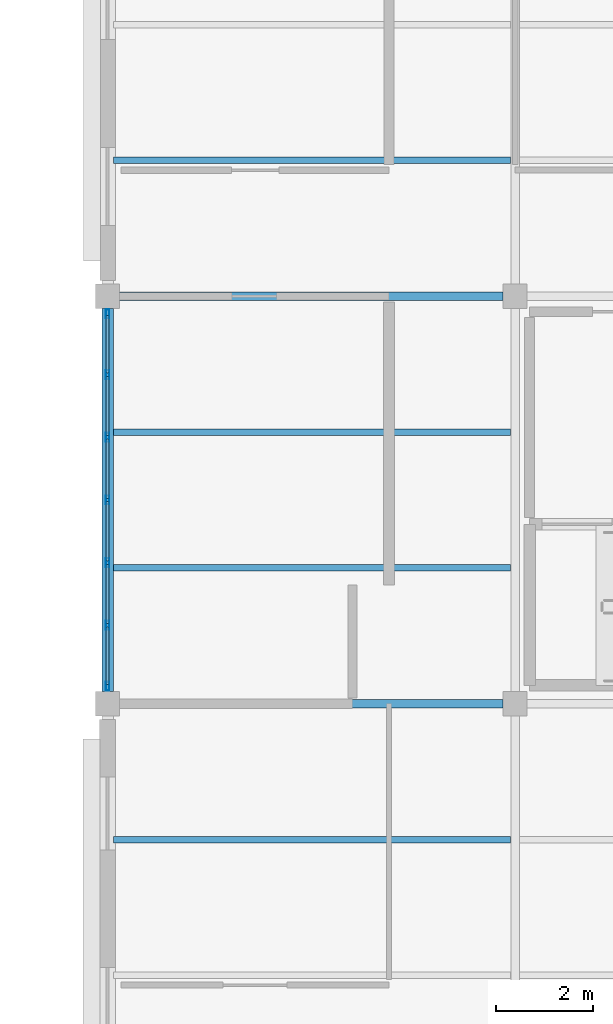
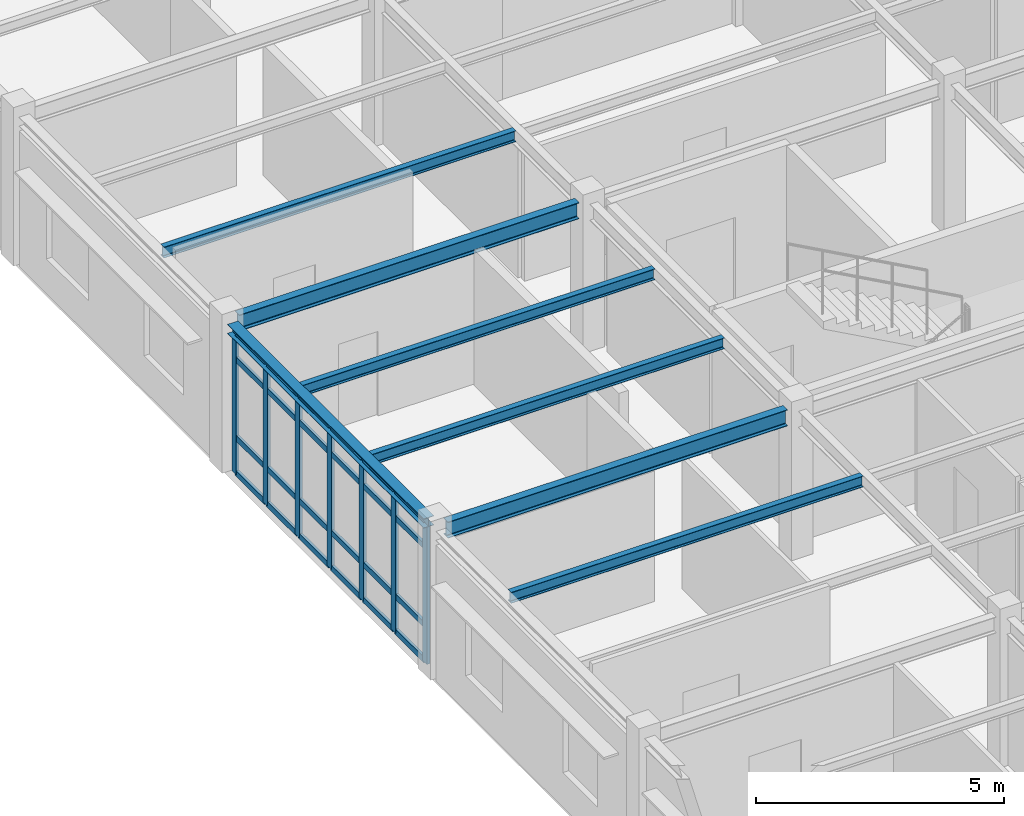
# One storey, part 14 of 53: 31 members, 7 beams, 1 element without a shape of its own.
"""IFC4 building model written with IfcOpenShell, lengths in metres."""

from ifc_helpers import new_model, si_unit, direction, frame, origin, origin_2d, place, context, subcontext, project, spatial, hollow_rectangle, i_section, extrude, material, layer, layer_set, material_profile, profile_set, type_object, element, aggregate, save


model = new_model("IFC4")

# Units and contexts
model_context = context("Model", 3, precision=1e-05, world=origin(), true_north=direction((0.0, 1.0)))
body_context = subcontext(model_context, "Body", "Model", "MODEL_VIEW")
ifc_project = project(units=[si_unit("LENGTHUNIT", "METRE"), si_unit("AREAUNIT", "SQUARE_METRE"), si_unit("VOLUMEUNIT", "CUBIC_METRE"), si_unit("PLANEANGLEUNIT", "RADIAN"), si_unit("MASSUNIT", "GRAM", prefix="KILO")], contexts=[model_context])

# Site, building, storey
site_placement = place(None, origin())
site = spatial("IfcSite", under=ifc_project, at=site_placement, CompositionType="ELEMENT")
building_placement = place(site_placement, origin())
building = spatial("IfcBuilding", under=site, at=building_placement, Name="Bramfleet General Hospital", CompositionType="ELEMENT")
storey_placement = place(building_placement, frame((0.0, 0.0, 26.39990234375)))
storey = spatial("IfcBuildingStorey", under=building, at=storey_placement, Name="L06", CompositionType="ELEMENT", Elevation=26.39990234375)

# Beams
ifc_material_1 = material(Name="Steel S355", Category="steel")
ifc_material_profile_1 = material_profile(ifc_material_1, i_section(OverallWidth=0.239990234375, OverallDepth=0.22998046875, WebThickness=0.007568359375, FlangeThickness=0.011962890625, FilletRadius=0.02099609375, at=origin_2d()), Name="HEA 240")
ifc_profile_set_1 = profile_set([ifc_material_profile_1], Name="Steel S355")
beam_type_1 = type_object("IfcBeamType", Name="BM-HEA240", PredefinedType="SPANDREL", material=ifc_profile_set_1)
beam_placement = place(storey_placement, frame((92.39990234375, 67.449951171875, 3.505126953125), z_axis=(0.0, 1.0, 0.0), x_axis=(-1.0, 0.0, 0.0)))
element("IfcBeam", 1, at=beam_placement, inside=storey, type_object=beam_type_1, Name="L06 Grid Beam Y 11-08", PredefinedType="SPANDREL", context=body_context, shape_type="SweptSolid", body=[
    extrude(i_section(OverallWidth=0.239990234375, OverallDepth=0.22998046875, WebThickness=0.007568359375, FlangeThickness=0.011962890625, FilletRadius=0.02099609375, at=origin_2d()), origin(), (0.0, 0.0, 1.0), 7.900146484375),
])
ifc_material_profile_2 = material_profile(ifc_material_1, i_section(OverallWidth=0.135009765625, OverallDepth=0.27001953125, WebThickness=0.006591796875, FlangeThickness=0.01025390625, FilletRadius=0.014892578125, at=origin_2d()), Name="IPE 270")
ifc_profile_set_2 = profile_set([ifc_material_profile_2], Name="Steel S355")
beam_type_2 = type_object("IfcBeamType", Name="BM-IPE270", PredefinedType="JOIST", material=ifc_profile_set_2)
for number, where, z_axis, x_axis, name in (
    (2, (92.52001953125, 64.39990234375, 3.485107421875), (1.0, 0.0, 0.0), (0.0, 1.0, 0.0), "L06 Secondary Joist 11-07-2"),
    (3, (92.52001953125, 70.0, 3.485107421875), (1.0, 0.0, 0.0), (0.0, 1.0, 0.0), "L06 Secondary Joist 11-08-1"),
    (4, (92.52001953125, 72.800048828125, 3.485107421875), (1.0, 0.0, 0.0), (0.0, 1.0, 0.0), "L06 Secondary Joist 11-08-2"),
    (5, (92.52001953125, 78.39990234375, 3.485107421875), (1.0, 0.0, 0.0), (0.0, 1.0, 0.0), "L06 Secondary Joist 11-09-1"),
):
    element("IfcBeam", number, at=place(storey_placement, frame(where, z_axis=z_axis, x_axis=x_axis)), inside=storey, type_object=beam_type_2, Name=name, PredefinedType="JOIST", context=body_context, shape_type="SweptSolid", body=[
        extrude(i_section(OverallWidth=0.135009765625, OverallDepth=0.27001953125, WebThickness=0.006591796875, FlangeThickness=0.01025390625, FilletRadius=0.014892578125, at=origin_2d()), origin(), (0.0, 0.0, 1.0), 8.18994140625),
    ])
ifc_material_profile_3 = material_profile(ifc_material_1, i_section(OverallWidth=0.179931640625, OverallDepth=0.39990234375, WebThickness=0.008544921875, FlangeThickness=0.013427734375, FilletRadius=0.02099609375, at=origin_2d()), Name="IPE 400")
ifc_profile_set_3 = profile_set([ifc_material_profile_3], Name="Steel S355")
beam_type_3 = type_object("IfcBeamType", Name="BM-IPE400", PredefinedType="BEAM", material=ifc_profile_set_3)
for number, where, z_axis, x_axis, name in (
    (6, (92.64990234375, 67.199951171875, 3.420166015625), (1.0, 0.0, 0.0), (0.0, 1.0, 0.0), "L06 Grid Beam X 11-08"),
    (7, (92.64990234375, 75.60009765625, 3.420166015625), (1.0, 0.0, 0.0), (0.0, 1.0, 0.0), "L06 Grid Beam X 11-09"),
):
    element("IfcBeam", number, at=place(storey_placement, frame(where, z_axis=z_axis, x_axis=x_axis)), inside=storey, type_object=beam_type_3, Name=name, PredefinedType="BEAM", context=body_context, shape_type="SweptSolid", body=[
        extrude(i_section(OverallWidth=0.179931640625, OverallDepth=0.39990234375, WebThickness=0.008544921875, FlangeThickness=0.013427734375, FilletRadius=0.02099609375, at=origin_2d()), origin(), (0.0, 0.0, 1.0), 7.900146484375),
    ])

# Curtain wall, members
ifc_material_2 = material(Name="Anodised aluminium and low-E triple glazing", Category="aluminium")
ifc_layer = layer(ifc_material_2, 0.179931640625, Name="CWT-CW-14")
ifc_layer_set = layer_set([ifc_layer], Name="Anodised aluminium and low-E triple glazing")
curtain_wall_type = type_object("IfcCurtainWallType", Name="CWT-CW-14", PredefinedType="USERDEFINED", material=ifc_layer_set)
curtain_wall_placement = place(storey_placement, origin())
curtain_wall = element("IfcCurtainWall", 8, at=curtain_wall_placement, inside=storey, type_object=curtain_wall_type, Name="L06 Curtain Wall 212", ObjectType="Stick curtain wall", PredefinedType="USERDEFINED")
ifc_material_3 = material(Name="Anodised aluminium EN AW-6060", Category="aluminium")
ifc_material_profile_4 = material_profile(ifc_material_3, hollow_rectangle(XDim=0.070068359375, YDim=0.179931640625, WallThickness=0.00390625, at=origin_2d()), Name="ALU 180x70x4.0")
ifc_profile_set_4 = profile_set([ifc_material_profile_4], Name="Anodised aluminium EN AW-6060")
member_type_1 = type_object("IfcMemberType", Name="CWM-ALU180", PredefinedType="MULLION", material=ifc_profile_set_4)
member_1_placement = place(storey_placement, frame((92.39990234375, 67.56005859375, 0.0), z_axis=(0.0, 0.0, 1.0), x_axis=(-1.0, 0.0, 0.0)))
member_1 = element("IfcMember", 9, at=member_1_placement, type_object=member_type_1, Name="CW-14 mullion 1", PredefinedType="MULLION", context=body_context, shape_type="SweptSolid", body=[
    extrude(hollow_rectangle(XDim=0.070068359375, YDim=0.179931640625, WallThickness=0.00390625, at=origin_2d()), origin(), (0.0, 0.0, 1.0), 3.380126953125),
])
member_2_placement = place(storey_placement, frame((92.39990234375, 68.816650390625, 0.0), z_axis=(0.0, 0.0, 1.0), x_axis=(-1.0, 0.0, 0.0)))
member_2 = element("IfcMember", 10, at=member_2_placement, type_object=member_type_1, Name="CW-14 mullion 2", PredefinedType="MULLION", context=body_context, shape_type="SweptSolid", body=[
    extrude(hollow_rectangle(XDim=0.070068359375, YDim=0.179931640625, WallThickness=0.00390625, at=origin_2d()), origin(), (0.0, 0.0, 1.0), 3.380126953125),
])
member_3_placement = place(storey_placement, frame((92.39990234375, 70.1083984375, 0.0), z_axis=(0.0, 0.0, 1.0), x_axis=(-1.0, 0.0, 0.0)))
member_3 = element("IfcMember", 11, at=member_3_placement, type_object=member_type_1, Name="CW-14 mullion 3", PredefinedType="MULLION", context=body_context, shape_type="SweptSolid", body=[
    extrude(hollow_rectangle(XDim=0.070068359375, YDim=0.179931640625, WallThickness=0.00390625, at=origin_2d()), origin(), (0.0, 0.0, 1.0), 3.380126953125),
])
member_4_placement = place(storey_placement, frame((92.39990234375, 71.39990234375, 0.0), z_axis=(0.0, 0.0, 1.0), x_axis=(-1.0, 0.0, 0.0)))
member_4 = element("IfcMember", 12, at=member_4_placement, type_object=member_type_1, Name="CW-14 mullion 4", PredefinedType="MULLION", context=body_context, shape_type="SweptSolid", body=[
    extrude(hollow_rectangle(XDim=0.070068359375, YDim=0.179931640625, WallThickness=0.00390625, at=origin_2d()), origin(), (0.0, 0.0, 1.0), 3.380126953125),
])
member_5_placement = place(storey_placement, frame((92.39990234375, 72.691650390625, 0.0), z_axis=(0.0, 0.0, 1.0), x_axis=(-1.0, 0.0, 0.0)))
member_5 = element("IfcMember", 13, at=member_5_placement, type_object=member_type_1, Name="CW-14 mullion 5", PredefinedType="MULLION", context=body_context, shape_type="SweptSolid", body=[
    extrude(hollow_rectangle(XDim=0.070068359375, YDim=0.179931640625, WallThickness=0.00390625, at=origin_2d()), origin(), (0.0, 0.0, 1.0), 3.380126953125),
])
member_6_placement = place(storey_placement, frame((92.39990234375, 73.9833984375, 0.0), z_axis=(0.0, 0.0, 1.0), x_axis=(-1.0, 0.0, 0.0)))
member_6 = element("IfcMember", 14, at=member_6_placement, type_object=member_type_1, Name="CW-14 mullion 6", PredefinedType="MULLION", context=body_context, shape_type="SweptSolid", body=[
    extrude(hollow_rectangle(XDim=0.070068359375, YDim=0.179931640625, WallThickness=0.00390625, at=origin_2d()), origin(), (0.0, 0.0, 1.0), 3.380126953125),
])
member_7_placement = place(storey_placement, frame((92.39990234375, 75.239990234375, 0.0), z_axis=(0.0, 0.0, 1.0), x_axis=(-1.0, 0.0, 0.0)))
member_7 = element("IfcMember", 15, at=member_7_placement, type_object=member_type_1, Name="CW-14 mullion 7", PredefinedType="MULLION", context=body_context, shape_type="SweptSolid", body=[
    extrude(hollow_rectangle(XDim=0.070068359375, YDim=0.179931640625, WallThickness=0.00390625, at=origin_2d()), origin(), (0.0, 0.0, 1.0), 3.380126953125),
])
ifc_material_profile_5 = material_profile(ifc_material_3, hollow_rectangle(XDim=0.06494140625, YDim=0.139892578125, WallThickness=0.00390625, at=origin_2d()), Name="ALU 140x65x4.0")
ifc_profile_set_5 = profile_set([ifc_material_profile_5], Name="Anodised aluminium EN AW-6060")
member_type_2 = type_object("IfcMemberType", Name="CWT-ALU140", PredefinedType="USERDEFINED", material=ifc_profile_set_5)
member_8_placement = place(storey_placement, frame((92.39990234375, 67.594970703125, 0.03271484375), z_axis=(0.0, 1.0, 0.0), x_axis=(-1.0, 0.0, 0.0)))
member_8 = element("IfcMember", 16, at=member_8_placement, type_object=member_type_2, Name="CW-14 transom 1.1", ObjectType="TRANSOM", PredefinedType="USERDEFINED", context=body_context, shape_type="SweptSolid", body=[
    extrude(hollow_rectangle(XDim=0.06494140625, YDim=0.139892578125, WallThickness=0.00390625, at=origin_2d()), origin(), (0.0, 0.0, 1.0), 1.186767578125),
])
member_9_placement = place(storey_placement, frame((92.39990234375, 67.594970703125, 0.900146484375), z_axis=(0.0, 1.0, 0.0), x_axis=(-1.0, 0.0, 0.0)))
member_9 = element("IfcMember", 17, at=member_9_placement, type_object=member_type_2, Name="CW-14 transom 1.2", ObjectType="TRANSOM", PredefinedType="USERDEFINED", context=body_context, shape_type="SweptSolid", body=[
    extrude(hollow_rectangle(XDim=0.06494140625, YDim=0.139892578125, WallThickness=0.00390625, at=origin_2d()), origin(), (0.0, 0.0, 1.0), 1.186767578125),
])
member_10_placement = place(storey_placement, frame((92.39990234375, 67.594970703125, 2.830078125), z_axis=(0.0, 1.0, 0.0), x_axis=(-1.0, 0.0, 0.0)))
member_10 = element("IfcMember", 18, at=member_10_placement, type_object=member_type_2, Name="CW-14 transom 1.3", ObjectType="TRANSOM", PredefinedType="USERDEFINED", context=body_context, shape_type="SweptSolid", body=[
    extrude(hollow_rectangle(XDim=0.06494140625, YDim=0.139892578125, WallThickness=0.00390625, at=origin_2d()), origin(), (0.0, 0.0, 1.0), 1.186767578125),
])
member_11_placement = place(storey_placement, frame((92.39990234375, 67.594970703125, 3.34765625), z_axis=(0.0, 1.0, 0.0), x_axis=(-1.0, 0.0, 0.0)))
member_11 = element("IfcMember", 19, at=member_11_placement, type_object=member_type_2, Name="CW-14 transom 1.4", ObjectType="TRANSOM", PredefinedType="USERDEFINED", context=body_context, shape_type="SweptSolid", body=[
    extrude(hollow_rectangle(XDim=0.06494140625, YDim=0.139892578125, WallThickness=0.00390625, at=origin_2d()), origin(), (0.0, 0.0, 1.0), 1.186767578125),
])
member_12_placement = place(storey_placement, frame((92.39990234375, 68.8515625, 0.03271484375), z_axis=(0.0, 1.0, 0.0), x_axis=(-1.0, 0.0, 0.0)))
member_12 = element("IfcMember", 20, at=member_12_placement, type_object=member_type_2, Name="CW-14 transom 2.1", ObjectType="TRANSOM", PredefinedType="USERDEFINED", context=body_context, shape_type="SweptSolid", body=[
    extrude(hollow_rectangle(XDim=0.06494140625, YDim=0.139892578125, WallThickness=0.00390625, at=origin_2d()), origin(), (0.0, 0.0, 1.0), 1.2216796875),
])
member_13_placement = place(storey_placement, frame((92.39990234375, 68.8515625, 0.900146484375), z_axis=(0.0, 1.0, 0.0), x_axis=(-1.0, 0.0, 0.0)))
member_13 = element("IfcMember", 21, at=member_13_placement, type_object=member_type_2, Name="CW-14 transom 2.2", ObjectType="TRANSOM", PredefinedType="USERDEFINED", context=body_context, shape_type="SweptSolid", body=[
    extrude(hollow_rectangle(XDim=0.06494140625, YDim=0.139892578125, WallThickness=0.00390625, at=origin_2d()), origin(), (0.0, 0.0, 1.0), 1.2216796875),
])
member_14_placement = place(storey_placement, frame((92.39990234375, 68.8515625, 2.830078125), z_axis=(0.0, 1.0, 0.0), x_axis=(-1.0, 0.0, 0.0)))
member_14 = element("IfcMember", 22, at=member_14_placement, type_object=member_type_2, Name="CW-14 transom 2.3", ObjectType="TRANSOM", PredefinedType="USERDEFINED", context=body_context, shape_type="SweptSolid", body=[
    extrude(hollow_rectangle(XDim=0.06494140625, YDim=0.139892578125, WallThickness=0.00390625, at=origin_2d()), origin(), (0.0, 0.0, 1.0), 1.2216796875),
])
member_15_placement = place(storey_placement, frame((92.39990234375, 68.8515625, 3.34765625), z_axis=(0.0, 1.0, 0.0), x_axis=(-1.0, 0.0, 0.0)))
member_15 = element("IfcMember", 23, at=member_15_placement, type_object=member_type_2, Name="CW-14 transom 2.4", ObjectType="TRANSOM", PredefinedType="USERDEFINED", context=body_context, shape_type="SweptSolid", body=[
    extrude(hollow_rectangle(XDim=0.06494140625, YDim=0.139892578125, WallThickness=0.00390625, at=origin_2d()), origin(), (0.0, 0.0, 1.0), 1.2216796875),
])
member_16_placement = place(storey_placement, frame((92.39990234375, 70.143310546875, 0.03271484375), z_axis=(0.0, 1.0, 0.0), x_axis=(-1.0, 0.0, 0.0)))
member_16 = element("IfcMember", 24, at=member_16_placement, type_object=member_type_2, Name="CW-14 transom 3.1", ObjectType="TRANSOM", PredefinedType="USERDEFINED", context=body_context, shape_type="SweptSolid", body=[
    extrude(hollow_rectangle(XDim=0.06494140625, YDim=0.139892578125, WallThickness=0.00390625, at=origin_2d()), origin(), (0.0, 0.0, 1.0), 1.2216796875),
])
member_17_placement = place(storey_placement, frame((92.39990234375, 70.143310546875, 0.900146484375), z_axis=(0.0, 1.0, 0.0), x_axis=(-1.0, 0.0, 0.0)))
member_17 = element("IfcMember", 25, at=member_17_placement, type_object=member_type_2, Name="CW-14 transom 3.2", ObjectType="TRANSOM", PredefinedType="USERDEFINED", context=body_context, shape_type="SweptSolid", body=[
    extrude(hollow_rectangle(XDim=0.06494140625, YDim=0.139892578125, WallThickness=0.00390625, at=origin_2d()), origin(), (0.0, 0.0, 1.0), 1.2216796875),
])
member_18_placement = place(storey_placement, frame((92.39990234375, 70.143310546875, 2.830078125), z_axis=(0.0, 1.0, 0.0), x_axis=(-1.0, 0.0, 0.0)))
member_18 = element("IfcMember", 26, at=member_18_placement, type_object=member_type_2, Name="CW-14 transom 3.3", ObjectType="TRANSOM", PredefinedType="USERDEFINED", context=body_context, shape_type="SweptSolid", body=[
    extrude(hollow_rectangle(XDim=0.06494140625, YDim=0.139892578125, WallThickness=0.00390625, at=origin_2d()), origin(), (0.0, 0.0, 1.0), 1.2216796875),
])
member_19_placement = place(storey_placement, frame((92.39990234375, 70.143310546875, 3.34765625), z_axis=(0.0, 1.0, 0.0), x_axis=(-1.0, 0.0, 0.0)))
member_19 = element("IfcMember", 27, at=member_19_placement, type_object=member_type_2, Name="CW-14 transom 3.4", ObjectType="TRANSOM", PredefinedType="USERDEFINED", context=body_context, shape_type="SweptSolid", body=[
    extrude(hollow_rectangle(XDim=0.06494140625, YDim=0.139892578125, WallThickness=0.00390625, at=origin_2d()), origin(), (0.0, 0.0, 1.0), 1.2216796875),
])
member_20_placement = place(storey_placement, frame((92.39990234375, 71.43505859375, 0.03271484375), z_axis=(0.0, 1.0, 0.0), x_axis=(-1.0, 0.0, 0.0)))
member_20 = element("IfcMember", 28, at=member_20_placement, type_object=member_type_2, Name="CW-14 transom 4.1", ObjectType="TRANSOM", PredefinedType="USERDEFINED", context=body_context, shape_type="SweptSolid", body=[
    extrude(hollow_rectangle(XDim=0.06494140625, YDim=0.139892578125, WallThickness=0.00390625, at=origin_2d()), origin(), (0.0, 0.0, 1.0), 1.2216796875),
])
member_21_placement = place(storey_placement, frame((92.39990234375, 71.43505859375, 0.900146484375), z_axis=(0.0, 1.0, 0.0), x_axis=(-1.0, 0.0, 0.0)))
member_21 = element("IfcMember", 29, at=member_21_placement, type_object=member_type_2, Name="CW-14 transom 4.2", ObjectType="TRANSOM", PredefinedType="USERDEFINED", context=body_context, shape_type="SweptSolid", body=[
    extrude(hollow_rectangle(XDim=0.06494140625, YDim=0.139892578125, WallThickness=0.00390625, at=origin_2d()), origin(), (0.0, 0.0, 1.0), 1.2216796875),
])
member_22_placement = place(storey_placement, frame((92.39990234375, 71.43505859375, 2.830078125), z_axis=(0.0, 1.0, 0.0), x_axis=(-1.0, 0.0, 0.0)))
member_22 = element("IfcMember", 30, at=member_22_placement, type_object=member_type_2, Name="CW-14 transom 4.3", ObjectType="TRANSOM", PredefinedType="USERDEFINED", context=body_context, shape_type="SweptSolid", body=[
    extrude(hollow_rectangle(XDim=0.06494140625, YDim=0.139892578125, WallThickness=0.00390625, at=origin_2d()), origin(), (0.0, 0.0, 1.0), 1.2216796875),
])
member_23_placement = place(storey_placement, frame((92.39990234375, 71.43505859375, 3.34765625), z_axis=(0.0, 1.0, 0.0), x_axis=(-1.0, 0.0, 0.0)))
member_23 = element("IfcMember", 31, at=member_23_placement, type_object=member_type_2, Name="CW-14 transom 4.4", ObjectType="TRANSOM", PredefinedType="USERDEFINED", context=body_context, shape_type="SweptSolid", body=[
    extrude(hollow_rectangle(XDim=0.06494140625, YDim=0.139892578125, WallThickness=0.00390625, at=origin_2d()), origin(), (0.0, 0.0, 1.0), 1.2216796875),
])
member_24_placement = place(storey_placement, frame((92.39990234375, 72.7265625, 0.03271484375), z_axis=(0.0, 1.0, 0.0), x_axis=(-1.0, 0.0, 0.0)))
member_24 = element("IfcMember", 32, at=member_24_placement, type_object=member_type_2, Name="CW-14 transom 5.1", ObjectType="TRANSOM", PredefinedType="USERDEFINED", context=body_context, shape_type="SweptSolid", body=[
    extrude(hollow_rectangle(XDim=0.06494140625, YDim=0.139892578125, WallThickness=0.00390625, at=origin_2d()), origin(), (0.0, 0.0, 1.0), 1.2216796875),
])
member_25_placement = place(storey_placement, frame((92.39990234375, 72.7265625, 0.900146484375), z_axis=(0.0, 1.0, 0.0), x_axis=(-1.0, 0.0, 0.0)))
member_25 = element("IfcMember", 33, at=member_25_placement, type_object=member_type_2, Name="CW-14 transom 5.2", ObjectType="TRANSOM", PredefinedType="USERDEFINED", context=body_context, shape_type="SweptSolid", body=[
    extrude(hollow_rectangle(XDim=0.06494140625, YDim=0.139892578125, WallThickness=0.00390625, at=origin_2d()), origin(), (0.0, 0.0, 1.0), 1.2216796875),
])
member_26_placement = place(storey_placement, frame((92.39990234375, 72.7265625, 2.830078125), z_axis=(0.0, 1.0, 0.0), x_axis=(-1.0, 0.0, 0.0)))
member_26 = element("IfcMember", 34, at=member_26_placement, type_object=member_type_2, Name="CW-14 transom 5.3", ObjectType="TRANSOM", PredefinedType="USERDEFINED", context=body_context, shape_type="SweptSolid", body=[
    extrude(hollow_rectangle(XDim=0.06494140625, YDim=0.139892578125, WallThickness=0.00390625, at=origin_2d()), origin(), (0.0, 0.0, 1.0), 1.2216796875),
])
member_27_placement = place(storey_placement, frame((92.39990234375, 72.7265625, 3.34765625), z_axis=(0.0, 1.0, 0.0), x_axis=(-1.0, 0.0, 0.0)))
member_27 = element("IfcMember", 35, at=member_27_placement, type_object=member_type_2, Name="CW-14 transom 5.4", ObjectType="TRANSOM", PredefinedType="USERDEFINED", context=body_context, shape_type="SweptSolid", body=[
    extrude(hollow_rectangle(XDim=0.06494140625, YDim=0.139892578125, WallThickness=0.00390625, at=origin_2d()), origin(), (0.0, 0.0, 1.0), 1.2216796875),
])
member_28_placement = place(storey_placement, frame((92.39990234375, 74.018310546875, 0.03271484375), z_axis=(0.0, 1.0, 0.0), x_axis=(-1.0, 0.0, 0.0)))
member_28 = element("IfcMember", 36, at=member_28_placement, type_object=member_type_2, Name="CW-14 transom 6.1", ObjectType="TRANSOM", PredefinedType="USERDEFINED", context=body_context, shape_type="SweptSolid", body=[
    extrude(hollow_rectangle(XDim=0.06494140625, YDim=0.139892578125, WallThickness=0.00390625, at=origin_2d()), origin(), (0.0, 0.0, 1.0), 1.186767578125),
])
member_29_placement = place(storey_placement, frame((92.39990234375, 74.018310546875, 0.900146484375), z_axis=(0.0, 1.0, 0.0), x_axis=(-1.0, 0.0, 0.0)))
member_29 = element("IfcMember", 37, at=member_29_placement, type_object=member_type_2, Name="CW-14 transom 6.2", ObjectType="TRANSOM", PredefinedType="USERDEFINED", context=body_context, shape_type="SweptSolid", body=[
    extrude(hollow_rectangle(XDim=0.06494140625, YDim=0.139892578125, WallThickness=0.00390625, at=origin_2d()), origin(), (0.0, 0.0, 1.0), 1.186767578125),
])
member_30_placement = place(storey_placement, frame((92.39990234375, 74.018310546875, 2.830078125), z_axis=(0.0, 1.0, 0.0), x_axis=(-1.0, 0.0, 0.0)))
member_30 = element("IfcMember", 38, at=member_30_placement, type_object=member_type_2, Name="CW-14 transom 6.3", ObjectType="TRANSOM", PredefinedType="USERDEFINED", context=body_context, shape_type="SweptSolid", body=[
    extrude(hollow_rectangle(XDim=0.06494140625, YDim=0.139892578125, WallThickness=0.00390625, at=origin_2d()), origin(), (0.0, 0.0, 1.0), 1.186767578125),
])
member_31_placement = place(storey_placement, frame((92.39990234375, 74.018310546875, 3.34765625), z_axis=(0.0, 1.0, 0.0), x_axis=(-1.0, 0.0, 0.0)))
member_31 = element("IfcMember", 39, at=member_31_placement, type_object=member_type_2, Name="CW-14 transom 6.4", ObjectType="TRANSOM", PredefinedType="USERDEFINED", context=body_context, shape_type="SweptSolid", body=[
    extrude(hollow_rectangle(XDim=0.06494140625, YDim=0.139892578125, WallThickness=0.00390625, at=origin_2d()), origin(), (0.0, 0.0, 1.0), 1.186767578125),
])
aggregate(curtain_wall, [member_1, member_2, member_3, member_4, member_5, member_6, member_7, member_8, member_9, member_10, member_11, member_12, member_13, member_14, member_15, member_16, member_17, member_18, member_19, member_20, member_21, member_22, member_23, member_24, member_25, member_26, member_27, member_28, member_29, member_30, member_31])

save(model, "model.ifc")
